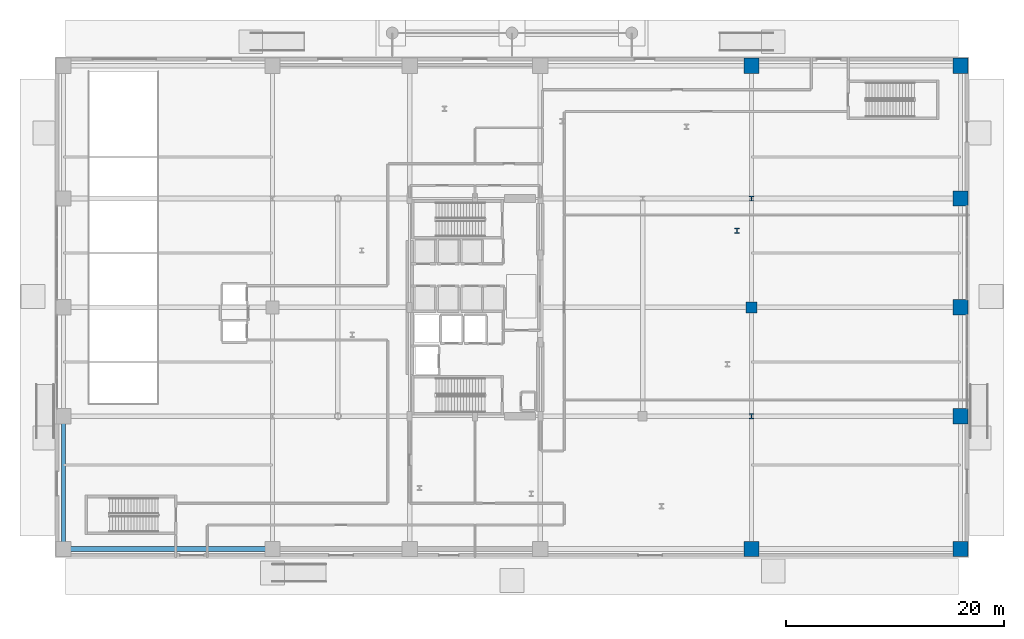
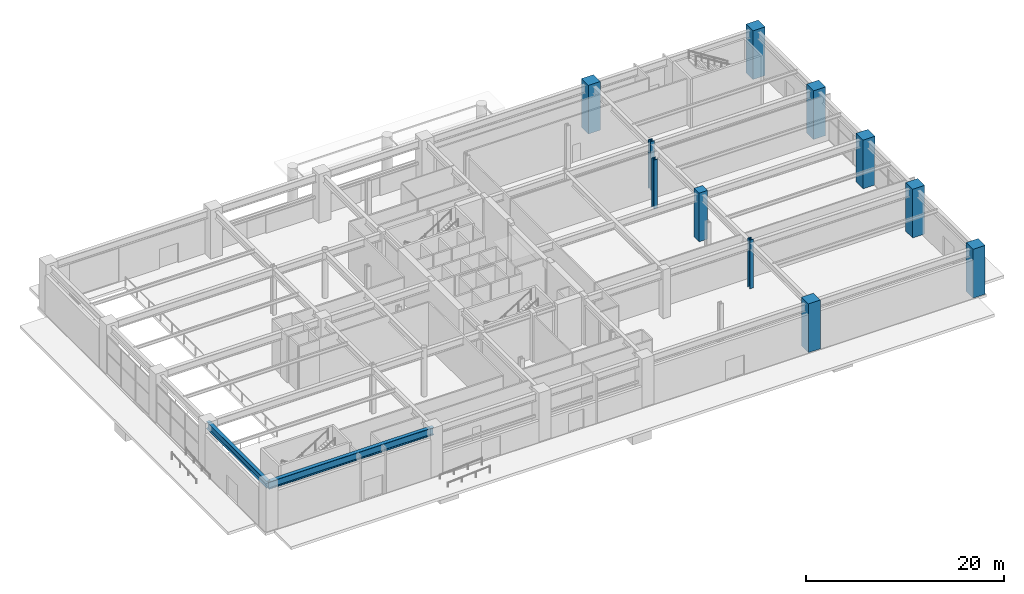
# One storey, part 4 of 31: 11 columns, 2 beams.
"""IFC4 building model written with IfcOpenShell, lengths in metres."""

import ifcopenshell
import ifcopenshell.guid

model = None  # the IFC model being written
_history = None  # IfcOwnerHistory: only IFC2X3 demands one
_inside = {}  # id of a spatial element -> (the spatial element, [elements in it])
_under = {}  # id of a project, library or spatial element -> (it, [spatial elements below it])
_declared = {}  # id of a project -> (the project, [libraries it declares])
_typed = {}  # id of a type object -> (the type object, [elements of that type])
_made_of = {}  # id of a material, layer set ... -> (it, [elements and type objects made of it])


def new_model(schema):
    """Start an empty IFC model of exactly this schema.

    Asked for "IFC4X3", IfcOpenShell would pick the latest addendum, in which some entities
    have other attributes; the version numbers below select the first issue.
    IFC2X3 requires an IfcOwnerHistory on every rooted entity: one is made here for all.
    """
    global model, _history
    if schema == "IFC4X3":
        model = ifcopenshell.file(schema_version=(4, 3, 0, 0))
    else:
        model = ifcopenshell.file(schema=schema)
    _inside.clear()
    _under.clear()
    _declared.clear()
    _typed.clear()
    _made_of.clear()
    _history = None
    if model.schema == "IFC2X3":
        org = make("IfcOrganization", Name="unknown")
        user = make(
            "IfcPersonAndOrganization",
            ThePerson=make("IfcPerson", FamilyName="unknown"),
            TheOrganization=org,
        )
        app = make(
            "IfcApplication",
            ApplicationDeveloper=org,
            Version="unknown",
            ApplicationFullName="unknown",
            ApplicationIdentifier="unknown",
        )
        _history = make(
            "IfcOwnerHistory",
            OwningUser=user,
            OwningApplication=app,
            ChangeAction="ADDED",
            CreationDate=0,
        )
    return model


def make(cls, **values):
    """One entity of the class cls with the attributes given. An attribute that is None is left unset."""
    return model.create_entity(
        cls, **{name: value for name, value in values.items() if value is not None}
    )


def rooted(cls, **values):
    """An entity with a GlobalId (a new one), such as an element, a storey or a relation."""
    return make(cls, GlobalId=ifcopenshell.guid.new(), OwnerHistory=_history, **values)


def si_unit(unit_type, name, prefix=None):
    """IfcSIUnit, for example si_unit("LENGTHUNIT", "METRE", prefix="MILLI")."""
    return make("IfcSIUnit", UnitType=unit_type, Prefix=prefix, Name=name)


def assignment(units):
    """IfcUnitAssignment: the units of a project."""
    return None if units is None else make("IfcUnitAssignment", Units=units)


def point(xyz):
    """IfcCartesianPoint."""
    return None if xyz is None else make("IfcCartesianPoint", Coordinates=xyz)


def direction(xyz):
    """IfcDirection."""
    return None if xyz is None else make("IfcDirection", DirectionRatios=xyz)


def frame(location, z_axis=None, x_axis=None):
    """IfcAxis2Placement3D, a coordinate frame: its origin and axes. An axis left out is left unset."""
    return make(
        "IfcAxis2Placement3D",
        Location=point(location),
        Axis=direction(z_axis),
        RefDirection=direction(x_axis),
    )


def frame_2d(location, x_axis=None):
    """IfcAxis2Placement2D, a coordinate frame in the plane: its origin and x axis."""
    return make(
        "IfcAxis2Placement2D", Location=point(location), RefDirection=direction(x_axis)
    )


def origin():
    """The frame at (0, 0, 0) with its axes left unset."""
    return frame((0.0, 0.0, 0.0))


def origin_2d():
    """The frame at (0, 0) in the plane with its x axis left unset."""
    return frame_2d((0.0, 0.0))


def place(relative_to, where):
    """IfcLocalPlacement: puts the frame where relative to a parent placement (None: the world)."""
    return make(
        "IfcLocalPlacement", PlacementRelTo=relative_to, RelativePlacement=where
    )


def context(
    kind, dimensions, precision=None, world=None, true_north=None, identifier=None
):
    """IfcGeometricRepresentationContext, for example the 3D "Model" context."""
    return make(
        "IfcGeometricRepresentationContext",
        ContextIdentifier=identifier,
        ContextType=kind,
        CoordinateSpaceDimension=dimensions,
        Precision=precision,
        WorldCoordinateSystem=world,
        TrueNorth=true_north,
    )


def subcontext(parent, identifier, kind, view, scale=None):
    """IfcGeometricRepresentationSubContext, for example "Body" below "Model"."""
    return make(
        "IfcGeometricRepresentationSubContext",
        ContextIdentifier=identifier,
        ContextType=kind,
        ParentContext=parent,
        TargetScale=scale,
        TargetView=view,
    )


def project(units=None, contexts=None):
    """IfcProject with its units and contexts."""
    return rooted(
        "IfcProject",
        Name="project",
        RepresentationContexts=contexts,
        UnitsInContext=assignment(units),
    )


def spatial(cls, under=None, at=None, **own):
    """A site, building, storey or space (cls), placed at a placement, below another one or the project."""
    s = rooted(cls, ObjectPlacement=at, **own)
    if under is not None:
        _under.setdefault(under.id(), (under, []))[1].append(s)
    return s


def profile(cls, at=None, kind="AREA", **sizes):
    """A parametric profile (cls). Its sizes go by their IFC names, for example OverallWidth=200.0."""
    return make(cls, ProfileType=kind, Position=at, **sizes)


def rectangle(**sizes):
    """IfcRectangleProfileDef."""
    return profile("IfcRectangleProfileDef", **sizes)


def i_section(**sizes):
    """IfcIShapeProfileDef."""
    return profile("IfcIShapeProfileDef", **sizes)


def extrude(swept, where, along, depth):
    """IfcExtrudedAreaSolid: the profile swept, set in the frame where, extruded along a direction by depth."""
    return make(
        "IfcExtrudedAreaSolid",
        SweptArea=swept,
        Position=where,
        ExtrudedDirection=direction(along),
        Depth=depth,
    )


def shape(context_of_items, identifier, shape_type, items):
    """IfcShapeRepresentation: the items that make up one representation, for example the "Body"."""
    return make(
        "IfcShapeRepresentation",
        ContextOfItems=context_of_items,
        RepresentationIdentifier=identifier,
        RepresentationType=shape_type,
        Items=items,
    )


def material(Name=None, Category=None):
    """IfcMaterial."""
    return make("IfcMaterial", Name=Name, Category=Category)


def material_profile(
    of_material, cross_section, Name=None, Category=None, Priority=None
):
    """IfcMaterialProfile: a cross section and its material."""
    return make(
        "IfcMaterialProfile",
        Name=Name,
        Material=of_material,
        Profile=cross_section,
        Priority=Priority,
        Category=Category,
    )


def profile_set(profiles, Name=None, composite=None):
    """IfcMaterialProfileSet."""
    return make(
        "IfcMaterialProfileSet",
        Name=Name,
        MaterialProfiles=profiles,
        CompositeProfile=composite,
    )


def made_of(thing, what):
    """Note that an element or type object is made of a material, layer set ...; save() writes the relation."""
    if what is not None:
        _made_of.setdefault(what.id(), (what, []))[1].append(thing)
    return thing


def type_object(cls, material=None, **own):
    """A type object (cls), such as IfcWallType, which elements share."""
    return made_of(rooted(cls, **own), material)


def element(
    cls,
    number,
    at=None,
    inside=None,
    cuts=None,
    type_object=None,
    material=None,
    context=None,
    identifier="Body",
    shape_type=None,
    held_by="IfcProductDefinitionShape",
    body=None,
    shapes=None,
    **own,
):
    """One element of the class cls, such as IfcWall. Its Tag is "e" and its number.

    at: its placement. inside: the storey or other place that contains it. cuts: it is an
    opening in that element (IfcRelVoidsElement). A single representation is given by context,
    identifier, shape_type and body (its items); several are given by shapes. held_by: the class
    of the entity that holds the representations. save() writes the other relations.
    """
    e = rooted(cls, Tag="e%d" % number, ObjectPlacement=at, **own)
    if body is not None:
        shapes = [shape(context, identifier, shape_type, body)]
    if shapes is not None:
        e.Representation = make(held_by, Representations=shapes)
    if inside is not None:
        _inside.setdefault(inside.id(), (inside, []))[1].append(e)
    if cuts is not None:
        rooted(
            "IfcRelVoidsElement", RelatingBuildingElement=cuts, RelatedOpeningElement=e
        )
    if type_object is not None:
        _typed.setdefault(type_object.id(), (type_object, []))[1].append(e)
    return made_of(e, material)


def aggregate(whole, parts):
    """IfcRelAggregates: a whole, such as a stair, and the parts it consists of."""
    return rooted("IfcRelAggregates", RelatingObject=whole, RelatedObjects=parts)


def save(model, path):
    """Write the relations noted so far, then the file.

    IfcRelAggregates (storeys below a building ...), IfcRelContainedInSpatialStructure (elements
    in a storey), IfcRelDefinesByType, IfcRelAssociatesMaterial and IfcRelDeclares: one each for
    every whole, place, type object, material and project.
    """
    for whole, parts in _under.values():
        aggregate(whole, parts)
    for where, things in _inside.values():
        rooted(
            "IfcRelContainedInSpatialStructure",
            RelatedElements=things,
            RelatingStructure=where,
        )
    for kind, things in _typed.values():
        rooted("IfcRelDefinesByType", RelatedObjects=things, RelatingType=kind)
    for what, things in _made_of.values():
        rooted("IfcRelAssociatesMaterial", RelatedObjects=things, RelatingMaterial=what)
    for by, libraries in _declared.values():
        rooted("IfcRelDeclares", RelatingContext=by, RelatedDefinitions=libraries)
    model.write(path)


model = new_model("IFC4")

# Units and contexts
model_context = context("Model", 3, precision=1e-05, world=origin(), true_north=direction((0.0, 1.0)))
body_context = subcontext(model_context, "Body", "Model", "MODEL_VIEW")
ifc_project = project(units=[si_unit("LENGTHUNIT", "METRE"), si_unit("AREAUNIT", "SQUARE_METRE"), si_unit("VOLUMEUNIT", "CUBIC_METRE"), si_unit("PLANEANGLEUNIT", "RADIAN"), si_unit("MASSUNIT", "GRAM", prefix="KILO")], contexts=[model_context])

# Site, building, storey
site_placement = place(None, origin())
site = spatial("IfcSite", under=ifc_project, at=site_placement, CompositionType="ELEMENT")
building_placement = place(site_placement, origin())
building = spatial("IfcBuilding", under=site, at=building_placement, Name="Soratama Intermodal Tower", CompositionType="ELEMENT")
storey_placement = place(building_placement, origin())
storey = spatial("IfcBuildingStorey", under=building, at=storey_placement, Name="L00", CompositionType="ELEMENT", Elevation=0.0)

# Columns
ifc_material_1 = material(Name="Concrete f'c 56 MPa", Category="concrete")
ifc_material_profile_1 = material_profile(ifc_material_1, rectangle(XDim=1.39990234375, YDim=1.39990234375, at=origin_2d()), Name="RC1400X1400")
ifc_profile_set_1 = profile_set([ifc_material_profile_1], Name="Concrete f'c 56 MPa")
column_type_1 = type_object("IfcColumnType", Name="COL-POD-EXT-RC1400", PredefinedType="COLUMN", material=ifc_profile_set_1)
for number, where, z_axis, x_axis, name in (
    (1, (64.0, 2.800048828125, 0.0), (0.0, 0.0, 1.0), (1.0, 0.0, 0.0), "L00 Station Column P03"),
    (2, (83.199951171875, 2.800048828125, 0.0), (0.0, 0.0, 1.0), (1.0, 0.0, 0.0), "L00 Station Column P04"),
    (3, (83.199951171875, 15.0, 0.0), (0.0, 0.0, 1.0), (1.0, 0.0, 0.0), "L00 Station Column P08"),
    (4, (83.199951171875, 35.0, 0.0), (0.0, 0.0, 1.0), (1.0, 0.0, 0.0), "L00 Station Column P12"),
    (5, (64.0, 47.199951171875, 0.0), (0.0, 0.0, 1.0), (1.0, 0.0, 0.0), "L00 Station Column P15"),
    (6, (83.199951171875, 47.199951171875, 0.0), (0.0, 0.0, 1.0), (1.0, 0.0, 0.0), "L00 Station Column P16"),
    (7, (83.199951171875, 25.0, 0.0), (0.0, 0.0, 1.0), (1.0, 0.0, 0.0), "L00 Station Column P20"),
):
    element("IfcColumn", number, at=place(storey_placement, frame(where, z_axis=z_axis, x_axis=x_axis)), inside=storey, type_object=column_type_1, Name=name, PredefinedType="COLUMN", context=body_context, shape_type="SweptSolid", body=[
        extrude(rectangle(XDim=1.39990234375, YDim=1.39990234375, at=origin_2d()), origin(), (0.0, 0.0, 1.0), 6.0),
    ])
ifc_material_2 = material(Name="Concrete f'c 56 MPa", Category="concrete")
ifc_material_profile_2 = material_profile(ifc_material_2, rectangle(XDim=1.0, YDim=1.0, at=origin_2d()), Name="RC1000X1000")
ifc_profile_set_2 = profile_set([ifc_material_profile_2], Name="Concrete f'c 56 MPa")
column_type_2 = type_object("IfcColumnType", Name="COL-POD-RC1000", PredefinedType="COLUMN", material=ifc_profile_set_2)
column_placement = place(storey_placement, frame((64.0, 25.0, 0.0), z_axis=(0.0, 0.0, 1.0), x_axis=(1.0, 0.0, 0.0)))
element("IfcColumn", 8, at=column_placement, inside=storey, type_object=column_type_2, Name="L00 Station Column P19", PredefinedType="COLUMN", context=body_context, shape_type="SweptSolid", body=[
    extrude(rectangle(XDim=1.0, YDim=1.0, at=origin_2d()), origin(), (0.0, 0.0, 1.0), 6.0),
])
ifc_material_3 = material(Name="Structural steel ASTM A992 Grade 50", Category="steel")
ifc_material_profile_3 = material_profile(ifc_material_3, i_section(OverallWidth=0.431884765625, OverallDepth=0.498046875, WebThickness=0.0556640625, FlangeThickness=0.0888671875, FilletRadius=0.0380859375, at=origin_2d()), Name="W14X500")
ifc_profile_set_3 = profile_set([ifc_material_profile_3], Name="Structural steel ASTM A992 Grade 50")
column_type_3 = type_object("IfcColumnType", Name="COL-POD-W14X500", PredefinedType="COLUMN", material=ifc_profile_set_3)
for number, where, z_axis, x_axis, name in (
    (9, (64.0, 15.0, 0.0), (0.0, 0.0, 1.0), (1.0, 0.0, 0.0), "L00 Station Column P07"),
    (10, (64.0, 35.0, 0.0), (0.0, 0.0, 1.0), (1.0, 0.0, 0.0), "L00 Station Column P11"),
    (11, (62.6689453125, 32.02490234375, 0.0), (0.0, 0.0, 1.0), (1.0, 0.0, 0.0), "L00 Station Column P29"),
):
    element("IfcColumn", number, at=place(storey_placement, frame(where, z_axis=z_axis, x_axis=x_axis)), inside=storey, type_object=column_type_3, Name=name, PredefinedType="COLUMN", context=body_context, shape_type="SweptSolid", body=[
        extrude(i_section(OverallWidth=0.431884765625, OverallDepth=0.498046875, WebThickness=0.0556640625, FlangeThickness=0.0888671875, FilletRadius=0.0380859375, at=origin_2d()), origin(), (0.0, 0.0, 1.0), 6.0),
    ])

# Beams
ifc_material_4 = material(Name="Structural steel ASTM A992 Grade 50", Category="steel")
ifc_material_profile_4 = material_profile(ifc_material_4, i_section(OverallWidth=0.403076171875, OverallDepth=0.867919921875, WebThickness=0.02099609375, FlangeThickness=0.03564453125, FilletRadius=0.01806640625, at=origin_2d()), Name="W33X241")
ifc_profile_set_4 = profile_set([ifc_material_profile_4], Name="Structural steel ASTM A992 Grade 50")
beam_type_1 = type_object("IfcBeamType", Name="BM-POD-EXT-W33", PredefinedType="BEAM", material=ifc_profile_set_4)
beam_1_placement = place(storey_placement, frame((0.800048828125, 2.800048828125, 5.24609375), z_axis=(0.0, 1.0, 0.0), x_axis=(-1.0, 0.0, 0.0)))
element("IfcBeam", 12, at=beam_1_placement, inside=storey, type_object=beam_type_1, Name="L00 Station Girder Y1-1", PredefinedType="BEAM", context=body_context, shape_type="SweptSolid", body=[
    extrude(i_section(OverallWidth=0.403076171875, OverallDepth=0.867919921875, WebThickness=0.02099609375, FlangeThickness=0.03564453125, FilletRadius=0.01806640625, at=origin_2d()), origin(), (0.0, 0.0, 1.0), 12.199951171875),
])
ifc_material_5 = material(Name="Structural steel ASTM A992 Grade 50", Category="steel")
ifc_material_profile_5 = material_profile(ifc_material_5, i_section(OverallWidth=0.423095703125, OverallDepth=0.93896484375, WebThickness=0.02392578125, FlangeThickness=0.042724609375, FilletRadius=0.02392578125, at=origin_2d()), Name="W36X302")
ifc_profile_set_5 = profile_set([ifc_material_profile_5], Name="Structural steel ASTM A992 Grade 50")
beam_type_2 = type_object("IfcBeamType", Name="BM-POD-EXT-W36", PredefinedType="BEAM", material=ifc_profile_set_5)
beam_2_placement = place(storey_placement, frame((0.800048828125, 2.800048828125, 5.21044921875), z_axis=(1.0, 0.0, 0.0), x_axis=(0.0, 1.0, 0.0)))
element("IfcBeam", 13, at=beam_2_placement, inside=storey, type_object=beam_type_2, Name="L00 Station Girder X1-1", PredefinedType="BEAM", context=body_context, shape_type="SweptSolid", body=[
    extrude(i_section(OverallWidth=0.423095703125, OverallDepth=0.93896484375, WebThickness=0.02392578125, FlangeThickness=0.042724609375, FilletRadius=0.02392578125, at=origin_2d()), origin(), (0.0, 0.0, 1.0), 19.199951171875),
])

save(model, "model.ifc")
